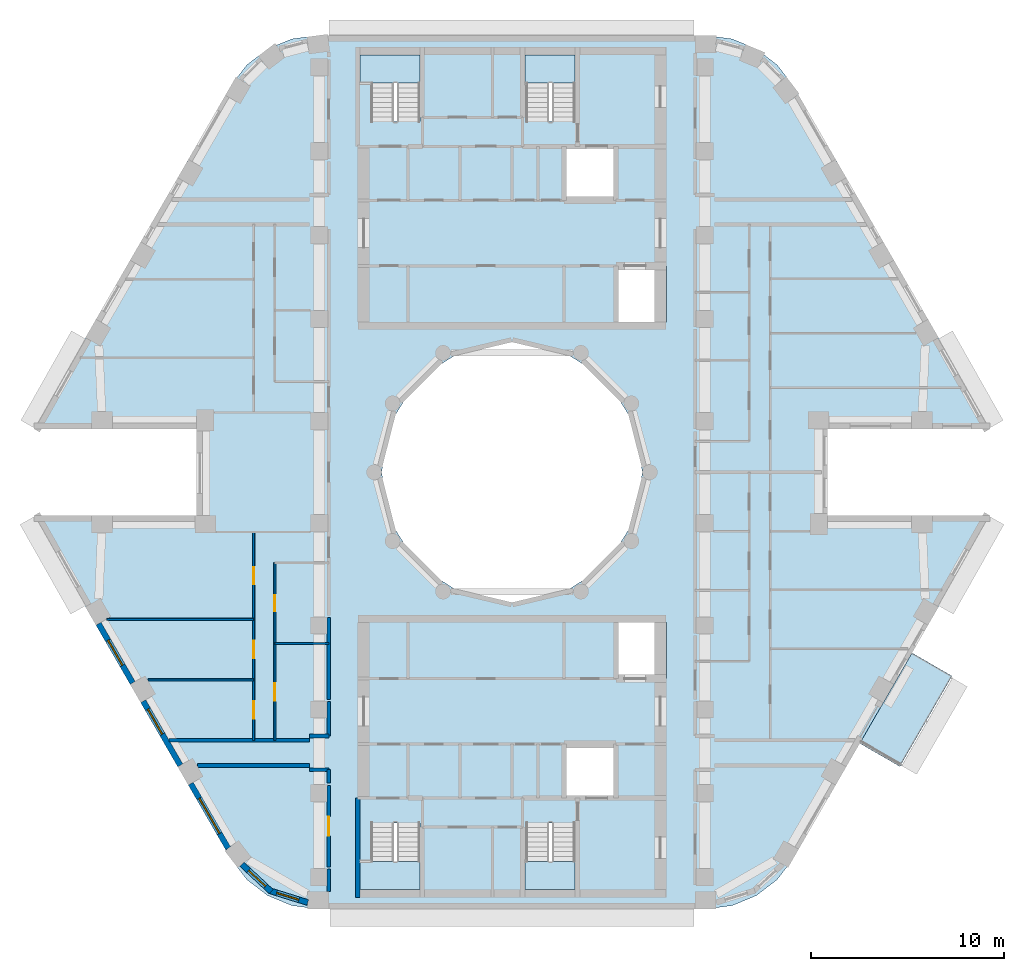
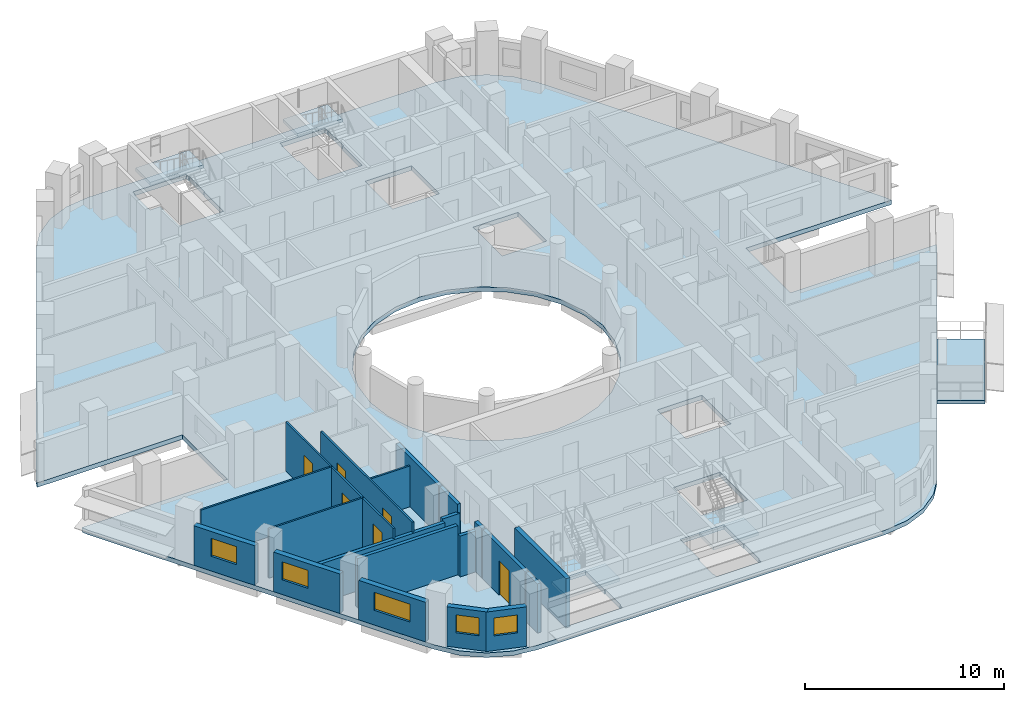
# One storey, part 2 of 12: 20 walls, 6 doors, 6 slabs, 5 windows, 11 openings, 4 elements without a shape of their own.
"""IFC4 building model written with IfcOpenShell, lengths in metres."""

from ifc_helpers import new_model, si_unit, direction, frame, frame_2d, origin, place, context, subcontext, project, spatial, polyline, rectangle, outline, extrude, material, layer, layer_set, type_object, element, fill, aggregate, save


model = new_model("IFC4")

# Units and contexts
model_context = context("Model", 3, precision=1e-05, world=origin(), true_north=direction((0.0, 1.0)))
body_context = subcontext(model_context, "Body", "Model", "MODEL_VIEW")
ifc_project = project(units=[si_unit("LENGTHUNIT", "METRE"), si_unit("AREAUNIT", "SQUARE_METRE"), si_unit("VOLUMEUNIT", "CUBIC_METRE"), si_unit("PLANEANGLEUNIT", "RADIAN"), si_unit("MASSUNIT", "GRAM", prefix="KILO")], contexts=[model_context])

# Site, building, storey
site_placement = place(None, origin())
site = spatial("IfcSite", under=ifc_project, at=site_placement, CompositionType="ELEMENT")
building_placement = place(site_placement, origin())
building = spatial("IfcBuilding", under=site, at=building_placement, Name="Nakaniwa Court", CompositionType="ELEMENT")
storey_placement = place(building_placement, frame((0.0, 0.0, 236.10009765625)))
storey = spatial("IfcBuildingStorey", under=building, at=storey_placement, Name="L61", CompositionType="ELEMENT", Elevation=236.10009765625)

# Slabs
ifc_material_1 = material(Name="Charcoal ceramic paver")
ifc_layer_1 = layer(ifc_material_1, 0.02, Name="Ceramic paver")
ifc_material_2 = material(Name="Cement sand screed")
ifc_layer_2 = layer(ifc_material_2, 0.03, Name="Falls screed")
ifc_material_3 = material(Name="Concrete C40/50", Category="concrete")
ifc_layer_3 = layer(ifc_material_3, 0.15, Name="Balcony slab")
ifc_layer_set_1 = layer_set([ifc_layer_1, ifc_layer_2, ifc_layer_3], Name="Concrete C40/50 balcony slab with ceramic paver finish")
slab_type_1 = type_object("IfcSlabType", Name="Balcony slab 200", PredefinedType="FLOOR", material=ifc_layer_set_1)
slab_1_placement = place(storey_placement, frame((0.0, 0.0, -0.25)))
element("IfcSlab", 1, at=slab_1_placement, inside=storey, type_object=slab_type_1, Name="L61 balcony 01", PredefinedType="FLOOR", context=body_context, shape_type="SweptSolid", body=[
    extrude(outline(polyline([(98.03662109375, 65.93994140625), (100.744140625, 70.629638671875), (102.822509765625, 69.4296875), (100.114990234375, 64.739990234375), (98.03662109375, 65.93994140625)])), origin(), (0.0, 0.0, 1.0), 0.199951171875),
])
ifc_material_4 = material(Name="Concrete C80/100", Category="concrete")
ifc_layer_4 = layer(ifc_material_4, 0.27490234375)
ifc_layer_set_2 = layer_set([ifc_layer_4], Name="Concrete C80/100")
slab_type_2 = type_object("IfcSlabType", Name="Concrete C80/100 post tensioned floor slab 275", PredefinedType="FLOOR", material=ifc_layer_set_2)
slab_2_placement = place(storey_placement, frame((0.0, 0.0, -0.275146484375)))
element("IfcSlab", 2, at=slab_2_placement, inside=storey, type_object=slab_type_2, Name="FLOOR SLAB", PredefinedType="FLOOR", context=body_context, shape_type="SweptSolid", body=[
    extrude(outline(polyline([(96.349609375, 82.25), (104.7978515625, 82.25), (104.65283203125, 82.60009765625), (94.578125, 100.050048828125), (93.751708984375, 101.126953125), (92.6748046875, 101.953369140625), (91.420654296875, 102.472900390625), (90.07470703125, 102.64990234375), (69.92529296875, 102.64990234375), (68.579345703125, 102.472900390625), (67.3251953125, 101.953369140625), (66.248291015625, 101.126953125), (65.421875, 100.050048828125), (55.34716796875, 82.60009765625), (55.2021484375, 82.25), (63.650390625, 82.25), (63.650390625, 77.75), (55.2021484375, 77.75), (55.34716796875, 77.39990234375), (65.421875, 59.949951171875), (66.248291015625, 58.873046875), (67.3251953125, 58.046630859375), (68.579345703125, 57.527099609375), (69.92529296875, 57.35009765625), (90.07470703125, 57.35009765625), (91.420654296875, 57.527099609375), (92.6748046875, 58.046630859375), (93.751708984375, 58.873046875), (94.578125, 59.949951171875), (104.65283203125, 77.39990234375), (104.7978515625, 77.75), (96.349609375, 77.75), (96.349609375, 82.25)]), holes=[polyline([(81.501953125, 86.580810546875), (80.0, 86.75), (78.498046875, 86.580810546875), (77.0712890625, 86.08154296875), (75.79150390625, 85.27734375), (74.72265625, 84.20849609375), (73.91845703125, 82.9287109375), (73.419189453125, 81.501953125), (73.25, 80.0), (73.419189453125, 78.498046875), (73.91845703125, 77.0712890625), (74.72265625, 75.79150390625), (75.79150390625, 74.72265625), (77.0712890625, 73.91845703125), (78.498046875, 73.419189453125), (80.0, 73.25), (81.501953125, 73.419189453125), (82.9287109375, 73.91845703125), (84.20849609375, 74.72265625), (85.27734375, 75.79150390625), (86.08154296875, 77.0712890625), (86.580810546875, 78.498046875), (86.75, 80.0), (86.580810546875, 81.501953125), (86.08154296875, 82.9287109375), (85.27734375, 84.20849609375), (84.20849609375, 85.27734375), (82.9287109375, 86.08154296875), (81.501953125, 86.580810546875)]), polyline([(72.675048828125, 61.81005859375), (72.675048828125, 59.864990234375), (72.0849609375, 59.864990234375), (72.0849609375, 58.31005859375), (72.125, 58.31005859375), (72.125, 58.074951171875), (75.22509765625, 58.074951171875), (75.22509765625, 58.31005859375), (75.264892578125, 58.31005859375), (75.264892578125, 59.864990234375), (75.22509765625, 59.864990234375), (75.22509765625, 61.81005859375), (72.675048828125, 61.81005859375)]), polyline([(83.27490234375, 61.81005859375), (80.72509765625, 61.81005859375), (80.72509765625, 59.864990234375), (80.635009765625, 59.864990234375), (80.635009765625, 58.31005859375), (80.675048828125, 58.31005859375), (80.675048828125, 58.074951171875), (83.27490234375, 58.074951171875), (83.27490234375, 58.31005859375), (83.31494140625, 58.31005859375), (83.31494140625, 59.864990234375), (83.27490234375, 59.864990234375), (83.27490234375, 61.81005859375)]), polyline([(75.264892578125, 101.68994140625), (75.22509765625, 101.68994140625), (75.22509765625, 101.925048828125), (72.125, 101.925048828125), (72.125, 101.68994140625), (72.0849609375, 101.68994140625), (72.0849609375, 100.135009765625), (72.675048828125, 100.135009765625), (72.675048828125, 98.18994140625), (75.22509765625, 98.18994140625), (75.22509765625, 100.135009765625), (75.264892578125, 100.135009765625), (75.264892578125, 101.68994140625)]), polyline([(83.31494140625, 100.135009765625), (83.31494140625, 101.68994140625), (83.27490234375, 101.68994140625), (83.27490234375, 101.925048828125), (80.675048828125, 101.925048828125), (80.675048828125, 101.68994140625), (80.635009765625, 101.68994140625), (80.635009765625, 100.135009765625), (80.72509765625, 100.135009765625), (80.72509765625, 98.18994140625), (83.27490234375, 98.18994140625), (83.27490234375, 100.135009765625), (83.31494140625, 100.135009765625)]), polyline([(85.39990234375, 65.89990234375), (82.699951171875, 65.89990234375), (82.699951171875, 63.10009765625), (85.39990234375, 63.10009765625), (85.39990234375, 65.89990234375)]), polyline([(88.0, 72.199951171875), (85.39990234375, 72.199951171875), (85.39990234375, 69.300048828125), (88.0, 69.300048828125), (88.0, 72.199951171875)]), polyline([(85.39990234375, 90.699951171875), (85.39990234375, 87.800048828125), (88.0, 87.800048828125), (88.0, 90.699951171875), (85.39990234375, 90.699951171875)]), polyline([(85.39990234375, 96.89990234375), (82.699951171875, 96.89990234375), (82.699951171875, 94.10009765625), (85.39990234375, 94.10009765625), (85.39990234375, 96.89990234375)])]), origin(), (0.0, 0.0, 1.0), 0.275146484375),
])

# Stair, slab
stair_type = type_object("IfcStairType", Name="Dog leg stair 1200 wide 18 risers", PredefinedType="HALF_TURN_STAIR", material=ifc_material_4)
stair_1_placement = place(storey_placement, origin())
stair_1 = element("IfcStair", 3, at=stair_1_placement, inside=storey, type_object=stair_type, Name="L61 Stair ST1", PredefinedType="HALF_TURN_STAIR")
ifc_layer_5 = layer(ifc_material_4, 0.199951171875)
ifc_layer_set_3 = layer_set([ifc_layer_5], Name="Concrete C80/100")
slab_type_3 = type_object("IfcSlabType", Name="Stair landing concrete", PredefinedType="LANDING", material=ifc_layer_set_3)
slab_3_placement = place(storey_placement, frame((0.0, 0.0, 1.449951171875)))
slab_3 = element("IfcSlab", 4, at=slab_3_placement, type_object=slab_type_3, Name="ST1 landing 1", PredefinedType="LANDING", context=body_context, shape_type="SweptSolid", body=[
    extrude(outline(polyline([(75.22509765625, 100.175048828125), (75.22509765625, 101.64990234375), (72.125, 101.64990234375), (72.125, 100.175048828125), (75.22509765625, 100.175048828125)])), origin(), (0.0, 0.0, 1.0), 0.199951171875),
])
aggregate(stair_1, [slab_3])

stair_2_placement = place(storey_placement, origin())
stair_2 = element("IfcStair", 5, at=stair_2_placement, inside=storey, type_object=stair_type, Name="L61 Stair ST2", PredefinedType="HALF_TURN_STAIR")
slab_4_placement = place(storey_placement, frame((0.0, 0.0, 1.449951171875)))
slab_4 = element("IfcSlab", 6, at=slab_4_placement, type_object=slab_type_3, Name="ST2 landing 1", PredefinedType="LANDING", context=body_context, shape_type="SweptSolid", body=[
    extrude(outline(polyline([(83.27490234375, 100.175048828125), (83.27490234375, 101.64990234375), (80.675048828125, 101.64990234375), (80.675048828125, 100.175048828125), (83.27490234375, 100.175048828125)])), origin(), (0.0, 0.0, 1.0), 0.199951171875),
])
aggregate(stair_2, [slab_4])

stair_3_placement = place(storey_placement, origin())
stair_3 = element("IfcStair", 7, at=stair_3_placement, inside=storey, type_object=stair_type, Name="L61 Stair ST3", PredefinedType="HALF_TURN_STAIR")
slab_5_placement = place(storey_placement, frame((0.0, 0.0, 1.449951171875)))
slab_5 = element("IfcSlab", 8, at=slab_5_placement, type_object=slab_type_3, Name="ST3 landing 1", PredefinedType="LANDING", context=body_context, shape_type="SweptSolid", body=[
    extrude(outline(polyline([(75.22509765625, 58.35009765625), (75.22509765625, 59.824951171875), (72.125, 59.824951171875), (72.125, 58.35009765625), (75.22509765625, 58.35009765625)])), origin(), (0.0, 0.0, 1.0), 0.199951171875),
])
aggregate(stair_3, [slab_5])

stair_4_placement = place(storey_placement, origin())
stair_4 = element("IfcStair", 9, at=stair_4_placement, inside=storey, type_object=stair_type, Name="L61 Stair ST4", PredefinedType="HALF_TURN_STAIR")
slab_6_placement = place(storey_placement, frame((0.0, 0.0, 1.449951171875)))
slab_6 = element("IfcSlab", 10, at=slab_6_placement, type_object=slab_type_3, Name="ST4 landing 1", PredefinedType="LANDING", context=body_context, shape_type="SweptSolid", body=[
    extrude(outline(polyline([(83.27490234375, 58.35009765625), (83.27490234375, 59.824951171875), (80.675048828125, 59.824951171875), (80.675048828125, 58.35009765625), (83.27490234375, 58.35009765625)])), origin(), (0.0, 0.0, 1.0), 0.199951171875),
])
aggregate(stair_4, [slab_6])

# Walls
ifc_material_5 = material(Name="Acoustic double stud partition")
ifc_layer_6 = layer(ifc_material_5, 0.199951171875)
ifc_layer_set_4 = layer_set([ifc_layer_6], Name="Acoustic double stud partition")
wall_type_1 = type_object("IfcWallType", Name="Acoustic double stud partition 200", PredefinedType="PARTITIONING", material=ifc_layer_set_4)
wall_1_placement = place(storey_placement, frame((63.68115234375, 64.800048828125, 0.0), z_axis=(0.0, 0.0, 1.0), x_axis=(1.0, 0.0, 0.0)))
element("IfcWall", 11, at=wall_1_placement, inside=storey, type_object=wall_type_1, Name="Partition PW-073", PredefinedType="PARTITIONING", context=body_context, shape_type="SweptSolid", body=[
    extrude(rectangle(XDim=5.81884765625, YDim=0.199951171875, at=frame_2d((2.909423828125, 0.0))), origin(), (0.0, 0.0, 1.0), 3.02490234375),
])
for number, where, z_axis, x_axis, name in (
    (12, (69.5, 64.574951171875, 0.0), (0.0, 0.0, 1.0), (1.0, 0.0, 0.0), "Partition PW-075"),
    (13, (69.5, 66.324951171875, 0.0), (0.0, 0.0, 1.0), (1.0, 0.0, 0.0), "Partition PW-077"),
):
    element("IfcWall", number, at=place(storey_placement, frame(where, z_axis=z_axis, x_axis=x_axis)), inside=storey, type_object=wall_type_1, Name=name, PredefinedType="PARTITIONING", context=body_context, shape_type="SweptSolid", body=[
        extrude(rectangle(XDim=1.0, YDim=0.199951171875, at=frame_2d((0.5, 0.0))), origin(), (0.0, 0.0, 1.0), 2.5048828125),
    ])
wall_2_placement = place(storey_placement, frame((62.217529296875, 66.10009765625, 0.0), z_axis=(0.0, 0.0, 1.0), x_axis=(1.0, 0.0, 0.0)))
element("IfcWall", 14, at=wall_2_placement, inside=storey, type_object=wall_type_1, Name="Partition PW-079", PredefinedType="PARTITIONING", context=body_context, shape_type="SweptSolid", body=[
    extrude(rectangle(XDim=7.282470703125, YDim=0.199951171875, at=frame_2d((3.64111328125, 0.0))), origin(), (0.0, 0.0, 1.0), 2.40478515625),
])
wall_3_placement = place(storey_placement, frame((70.5, 58.26708984375, 0.0), z_axis=(0.0, 0.0, 1.0), x_axis=(0.0, 1.0, 0.0)))
element("IfcWall", 15, at=wall_3_placement, inside=storey, type_object=wall_type_1, Name="Partition PW-081", PredefinedType="PARTITIONING", context=body_context, shape_type="SweptSolid", body=[
    extrude(rectangle(XDim=1.14599609375, YDim=0.199951171875, at=frame_2d((0.572998046875, 0.0))), origin(), (0.0, 0.0, 1.0), 3.02490234375),
])

# Wall, opening, door
wall_4_placement = place(storey_placement, frame((70.5, 59.527099609375, 0.0), z_axis=(0.0, 0.0, 1.0), x_axis=(0.0, 1.0, 0.0)))
wall_4 = element("IfcWall", 16, at=wall_4_placement, inside=storey, type_object=wall_type_1, Name="Partition PW-082", PredefinedType="PARTITIONING", context=body_context, shape_type="SweptSolid", body=[
    extrude(rectangle(XDim=4.23583984375, YDim=0.199951171875, at=frame_2d((2.117919921875, 0.0))), origin(), (0.0, 0.0, 1.0), 3.02490234375),
])
opening_1_placement = place(wall_4_placement, frame((1.617919921875, 0.0, 0.0)))
opening_1 = element("IfcOpeningElement", 17, at=opening_1_placement, cuts=wall_4, Name="Opening D-02-03", PredefinedType="OPENING", context=body_context, shape_type="SweptSolid", body=[
    extrude(rectangle(XDim=1.0, YDim=2.10009765625, at=frame_2d((0.5, 1.050048828125))), frame((0.0, 0.10986328125, 0.0), z_axis=(0.0, -1.0, 0.0), x_axis=(1.0, 0.0, 0.0)), (0.0, 0.0, 1.0), 0.219970703125),
])
ifc_material_6 = material(Name="Solid core timber door set, black veneer", Category="wood")
door_type_1 = type_object("IfcDoorType", Name="Internal door 1000", OperationType="NOTDEFINED", PredefinedType="DOOR", material=ifc_material_6)
door_1_placement = place(opening_1_placement, origin())
door_1 = element("IfcDoor", 18, at=door_1_placement, inside=storey, type_object=door_type_1, Name="Door D-02-03 L61-047", OperationType="SINGLE_SWING_RIGHT", OverallHeight=2.10009765625, OverallWidth=1.0, PredefinedType="DOOR", context=body_context, shape_type="SweptSolid", body=[
    extrude(rectangle(XDim=1.0, YDim=2.10009765625, at=frame_2d((0.5, 1.050048828125))), frame((0.0, 0.02490234375, 0.0), z_axis=(0.0, -1.0, 0.0), x_axis=(1.0, 0.0, 0.0)), (0.0, 0.0, 1.0), 0.050048828125),
])
fill(opening_1, door_1)

# Walls
wall_5_placement = place(storey_placement, frame((70.5, 63.876953125, 0.0), z_axis=(0.0, 0.0, 1.0), x_axis=(0.0, 1.0, 0.0)))
element("IfcWall", 19, at=wall_5_placement, inside=storey, type_object=wall_type_1, Name="Partition PW-083", PredefinedType="PARTITIONING", context=body_context, shape_type="SweptSolid", body=[
    extrude(rectangle(XDim=0.700927734375, YDim=0.199951171875, at=frame_2d((0.3505859375, 0.0))), origin(), (0.0, 0.0, 1.0), 3.02490234375),
])
wall_6_placement = place(storey_placement, frame((70.5, 66.322021484375, 0.0), z_axis=(0.0, 0.0, 1.0), x_axis=(0.0, 1.0, 0.0)))
element("IfcWall", 20, at=wall_6_placement, inside=storey, type_object=wall_type_1, Name="Partition PW-084", PredefinedType="PARTITIONING", context=body_context, shape_type="SweptSolid", body=[
    extrude(rectangle(XDim=1.791015625, YDim=0.199951171875, at=frame_2d((0.8955078125, 0.0))), origin(), (0.0, 0.0, 1.0), 3.02490234375),
])
wall_7_placement = place(storey_placement, frame((70.5, 68.22705078125, 0.0), z_axis=(0.0, 0.0, 1.0), x_axis=(0.0, 1.0, 0.0)))
element("IfcWall", 21, at=wall_7_placement, inside=storey, type_object=wall_type_1, Name="Partition PW-085", PredefinedType="PARTITIONING", context=body_context, shape_type="SweptSolid", body=[
    extrude(rectangle(XDim=4.23583984375, YDim=0.199951171875, at=frame_2d((2.117919921875, 0.0))), origin(), (0.0, 0.0, 1.0), 3.02490234375),
])

# Wall, opening, window
ifc_material_7 = material(Name="Charcoal ceramic cladding")
ifc_layer_7 = layer(ifc_material_7, 0.02, Name="Ceramic cladding")
ifc_material_8 = material(Name="Ventilated air cavity")
ifc_layer_8 = layer(ifc_material_8, 0.04, ventilated=True, Name="Ventilated cavity")
ifc_material_9 = material(Name="Mineral wool insulation")
ifc_layer_9 = layer(ifc_material_9, 0.1, Name="Insulation")
ifc_material_10 = material(Name="Cement bonded sheathing board")
ifc_layer_10 = layer(ifc_material_10, 0.012, Name="Sheathing")
ifc_material_11 = material(Name="Cold-formed galvanised stud frame with mineral wool infill")
ifc_layer_11 = layer(ifc_material_11, 0.1, Name="Stud frame")
ifc_material_12 = material(Name="Fire-rated gypsum plasterboard lining")
ifc_layer_12 = layer(ifc_material_12, 0.028, Name="Lining")
ifc_layer_set_5 = layer_set([ifc_layer_7, ifc_layer_8, ifc_layer_9, ifc_layer_10, ifc_layer_11, ifc_layer_12], Name="Charcoal ceramic faced external wall system")
wall_type_2 = type_object("IfcWallType", Name="Black ceramic faced external wall 300", PredefinedType="SOLIDWALL", material=ifc_layer_set_5)
wall_8_placement = place(storey_placement, frame((58.55419921875, 72.14501953125, 0.0), z_axis=(0.0, 0.0, 1.0), x_axis=(0.500010404316, -0.866019396766, 0.0)))
wall_8 = element("IfcWall", 22, at=wall_8_placement, inside=storey, type_object=wall_type_2, Name="L61 external wall 21", PredefinedType="SOLIDWALL", context=body_context, shape_type="SweptSolid", body=[
    extrude(rectangle(XDim=3.54736328125, YDim=0.300048828125, at=frame_2d((1.773681640625, 0.0))), origin(), (0.0, 0.0, 1.0), 2.4248046875),
])
opening_2_placement = place(wall_8_placement, frame((0.990966796875, 0.0, 0.89990234375)))
opening_2 = element("IfcOpeningElement", 23, at=opening_2_placement, cuts=wall_8, Name="Opening W5.20", PredefinedType="OPENING", context=body_context, shape_type="SweptSolid", body=[
    extrude(rectangle(XDim=1.5, YDim=1.10009765625, at=frame_2d((0.75, 0.550048828125))), frame((0.0, 0.159912109375, 0.0), z_axis=(0.0, -1.0, 0.0), x_axis=(1.0, 0.0, 0.0)), (0.0, 0.0, 1.0), 0.320068359375),
])
ifc_material_13 = material(Name="Black anodised aluminium frame with dark low-E laminated double glazing", Category="aluminium")
window_type_1 = type_object("IfcWindowType", Name="Dark glass window 1500x1100 sill 900", PartitioningType="SINGLE_PANEL", PredefinedType="WINDOW", material=ifc_material_13)
window_1_placement = place(opening_2_placement, origin())
window_1 = element("IfcWindow", 24, at=window_1_placement, inside=storey, type_object=window_type_1, Name="L61 bedroom window 21-0", OverallHeight=1.10009765625, OverallWidth=1.5, PartitioningType="SINGLE_PANEL", PredefinedType="WINDOW", context=body_context, shape_type="SweptSolid", body=[
    extrude(rectangle(XDim=1.5, YDim=1.10009765625, at=frame_2d((0.75, 0.550048828125))), frame((0.0, 0.030029296875, 0.0), z_axis=(0.0, -1.0, 0.0), x_axis=(1.0, 0.0, 0.0)), (0.0, 0.0, 1.0), 0.06005859375),
])
fill(opening_2, window_1)

wall_9_placement = place(storey_placement, frame((60.873779296875, 68.12744140625, 0.0), z_axis=(0.0, 0.0, 1.0), x_axis=(0.499984490703, -0.866034357896, 0.0)))
wall_9 = element("IfcWall", 25, at=wall_9_placement, inside=storey, type_object=wall_type_2, Name="L61 external wall 22", PredefinedType="SOLIDWALL", context=body_context, shape_type="SweptSolid", body=[
    extrude(rectangle(XDim=3.84423828125, YDim=0.300048828125, at=frame_2d((1.922119140625, 0.0))), origin(), (0.0, 0.0, 1.0), 2.4248046875),
])
opening_3_placement = place(wall_9_placement, frame((0.481689453125, 0.0, 0.89990234375)))
opening_3 = element("IfcOpeningElement", 26, at=opening_3_placement, cuts=wall_9, Name="Opening W5.21", PredefinedType="OPENING", context=body_context, shape_type="SweptSolid", body=[
    extrude(rectangle(XDim=1.5, YDim=1.10009765625, at=frame_2d((0.75, 0.550048828125))), frame((0.0, 0.159912109375, 0.0), z_axis=(0.0, -1.0, 0.0), x_axis=(1.0, 0.0, 0.0)), (0.0, 0.0, 1.0), 0.320068359375),
])
window_2_placement = place(opening_3_placement, origin())
window_2 = element("IfcWindow", 27, at=window_2_placement, inside=storey, type_object=window_type_1, Name="L61 bedroom window 22-0", OverallHeight=1.10009765625, OverallWidth=1.5, PartitioningType="SINGLE_PANEL", PredefinedType="WINDOW", context=body_context, shape_type="SweptSolid", body=[
    extrude(rectangle(XDim=1.5, YDim=1.10009765625, at=frame_2d((0.75, 0.550048828125))), frame((0.0, 0.030029296875, 0.0), z_axis=(0.0, -1.0, 0.0), x_axis=(1.0, 0.0, 0.0)), (0.0, 0.0, 1.0), 0.06005859375),
])
fill(opening_3, window_2)

wall_10_placement = place(storey_placement, frame((63.342041015625, 63.8525390625, 0.0), z_axis=(0.0, 0.0, 1.0), x_axis=(0.500011218404, -0.866018926739, 0.0)))
wall_10 = element("IfcWall", 28, at=wall_10_placement, inside=storey, type_object=wall_type_2, Name="L61 external wall 23", PredefinedType="SOLIDWALL", context=body_context, shape_type="SweptSolid", body=[
    extrude(rectangle(XDim=3.87890625, YDim=0.300048828125, at=frame_2d((1.939453125, 0.0))), origin(), (0.0, 0.0, 1.0), 2.4248046875),
])
opening_4_placement = place(wall_10_placement, frame((0.878173828125, 0.0, 0.89990234375)))
opening_4 = element("IfcOpeningElement", 29, at=opening_4_placement, cuts=wall_10, Name="Opening W7.22", PredefinedType="OPENING", context=body_context, shape_type="SweptSolid", body=[
    extrude(rectangle(XDim=2.10009765625, YDim=1.10009765625, at=frame_2d((1.050048828125, 0.550048828125))), frame((0.0, 0.159912109375, 0.0), z_axis=(0.0, -1.0, 0.0), x_axis=(1.0, 0.0, 0.0)), (0.0, 0.0, 1.0), 0.320068359375),
])
window_type_2 = type_object("IfcWindowType", Name="Dark glass window 2100x1100 sill 900", PartitioningType="SINGLE_PANEL", PredefinedType="WINDOW", material=ifc_material_13)
window_3_placement = place(opening_4_placement, origin())
window_3 = element("IfcWindow", 30, at=window_3_placement, inside=storey, type_object=window_type_2, Name="L61 habitable room window 23-0", OverallHeight=1.10009765625, OverallWidth=2.10009765625, PartitioningType="SINGLE_PANEL", PredefinedType="WINDOW", context=body_context, shape_type="SweptSolid", body=[
    extrude(rectangle(XDim=2.10009765625, YDim=1.10009765625, at=frame_2d((1.050048828125, 0.550048828125))), frame((0.0, 0.030029296875, 0.0), z_axis=(0.0, -1.0, 0.0), x_axis=(1.0, 0.0, 0.0)), (0.0, 0.0, 1.0), 0.06005859375),
])
fill(opening_4, window_3)

wall_11_placement = place(storey_placement, frame((65.99609375, 59.665283203125, 0.0), z_axis=(0.0, 0.0, 1.0), x_axis=(0.731942518471, -0.6813663843, 0.0)))
wall_11 = element("IfcWall", 31, at=wall_11_placement, inside=storey, type_object=wall_type_2, Name="L61 external wall 24", PredefinedType="SOLIDWALL", context=body_context, shape_type="SweptSolid", body=[
    extrude(rectangle(XDim=2.07568359375, YDim=0.300048828125, at=frame_2d((1.037841796875, 0.0))), origin(), (0.0, 0.0, 1.0), 2.4248046875),
])
opening_5_placement = place(wall_11_placement, frame((0.464111328125, 0.0, 0.89990234375)))
opening_5 = element("IfcOpeningElement", 32, at=opening_5_placement, cuts=wall_11, Name="Opening W6.23", PredefinedType="OPENING", context=body_context, shape_type="SweptSolid", body=[
    extrude(rectangle(XDim=1.199951171875, YDim=1.10009765625, at=frame_2d((0.60009765625, 0.550048828125))), frame((0.0, 0.159912109375, 0.0), z_axis=(0.0, -1.0, 0.0), x_axis=(1.0, 0.0, 0.0)), (0.0, 0.0, 1.0), 0.320068359375),
])
window_type_3 = type_object("IfcWindowType", Name="Dark glass window 1200x1100 sill 900", PartitioningType="SINGLE_PANEL", PredefinedType="WINDOW", material=ifc_material_13)
window_4_placement = place(opening_5_placement, origin())
window_4 = element("IfcWindow", 33, at=window_4_placement, inside=storey, type_object=window_type_3, Name="L61 habitable room window 24-0", OverallHeight=1.10009765625, OverallWidth=1.199951171875, PartitioningType="SINGLE_PANEL", PredefinedType="WINDOW", context=body_context, shape_type="SweptSolid", body=[
    extrude(rectangle(XDim=1.199951171875, YDim=1.10009765625, at=frame_2d((0.60009765625, 0.550048828125))), frame((0.0, 0.030029296875, 0.0), z_axis=(0.0, -1.0, 0.0), x_axis=(1.0, 0.0, 0.0)), (0.0, 0.0, 1.0), 0.06005859375),
])
fill(opening_5, window_4)

wall_12_placement = place(storey_placement, frame((67.406494140625, 58.3076171875, 0.0), z_axis=(0.0, 0.0, 1.0), x_axis=(0.954761314907, -0.297373219301, 0.0)))
wall_12 = element("IfcWall", 34, at=wall_12_placement, inside=storey, type_object=wall_type_2, Name="L61 external wall 25", PredefinedType="SOLIDWALL", context=body_context, shape_type="SweptSolid", body=[
    extrude(rectangle(XDim=2.096923828125, YDim=0.300048828125, at=frame_2d((1.04833984375, 0.0))), origin(), (0.0, 0.0, 1.0), 2.4248046875),
])
opening_6_placement = place(wall_12_placement, frame((0.409423828125, 0.0, 0.89990234375)))
opening_6 = element("IfcOpeningElement", 35, at=opening_6_placement, cuts=wall_12, Name="Opening W6.24", PredefinedType="OPENING", context=body_context, shape_type="SweptSolid", body=[
    extrude(rectangle(XDim=1.199951171875, YDim=1.10009765625, at=frame_2d((0.60009765625, 0.550048828125))), frame((0.0, 0.159912109375, 0.0), z_axis=(0.0, -1.0, 0.0), x_axis=(1.0, 0.0, 0.0)), (0.0, 0.0, 1.0), 0.320068359375),
])
window_5_placement = place(opening_6_placement, origin())
window_5 = element("IfcWindow", 36, at=window_5_placement, inside=storey, type_object=window_type_3, Name="L61 habitable room window 25-0", OverallHeight=1.10009765625, OverallWidth=1.199951171875, PartitioningType="SINGLE_PANEL", PredefinedType="WINDOW", context=body_context, shape_type="SweptSolid", body=[
    extrude(rectangle(XDim=1.199951171875, YDim=1.10009765625, at=frame_2d((0.60009765625, 0.550048828125))), frame((0.0, 0.030029296875, 0.0), z_axis=(0.0, -1.0, 0.0), x_axis=(1.0, 0.0, 0.0)), (0.0, 0.0, 1.0), 0.06005859375),
])
fill(opening_6, window_5)

# Walls
ifc_layer_13 = layer(ifc_material_4, 0.25)
ifc_layer_set_6 = layer_set([ifc_layer_13], Name="Concrete C80/100")
wall_type_3 = type_object("IfcWallType", Name="Concrete core wall 250 C80", PredefinedType="SHEAR", material=ifc_layer_set_6)
wall_13_placement = place(storey_placement, frame((72.0, 57.949951171875, -0.275146484375), z_axis=(0.0, 0.0, 1.0), x_axis=(0.0, 1.0, 0.0)))
element("IfcWall", 37, at=wall_13_placement, inside=storey, type_object=wall_type_3, Name="Core wall SW-51", PredefinedType="SHEAR", context=body_context, shape_type="SweptSolid", body=[
    extrude(rectangle(XDim=5.150146484375, YDim=0.25, at=frame_2d((2.5751953125, 0.0))), origin(), (0.0, 0.0, 1.0), 3.300048828125),
])
ifc_material_14 = material(Name="Single stud plasterboard partition")
ifc_layer_14 = layer(ifc_material_14, 0.10009765625)
ifc_layer_set_7 = layer_set([ifc_layer_14], Name="Single stud plasterboard partition")
wall_type_4 = type_object("IfcWallType", Name="Single stud plasterboard partition 100", PredefinedType="PARTITIONING", material=ifc_layer_set_7)
wall_14_placement = place(storey_placement, frame((67.699951171875, 71.117919921875, 0.0), z_axis=(0.0, 0.0, 1.0), x_axis=(1.0, 0.0, 0.0)))
element("IfcWall", 38, at=wall_14_placement, inside=storey, type_object=wall_type_4, Name="Partition PW-106", PredefinedType="PARTITIONING", context=body_context, shape_type="SweptSolid", body=[
    extrude(rectangle(XDim=2.800048828125, YDim=0.10009765625, at=frame_2d((1.39990234375, 0.0))), origin(), (0.0, 0.0, 1.0), 2.5048828125),
])

# Wall, openings, doors
wall_15_placement = place(storey_placement, frame((67.699951171875, 75.300048828125, 0.0), z_axis=(0.0, 0.0, 1.0), x_axis=(0.0, -1.0, 0.0)))
wall_15 = element("IfcWall", 39, at=wall_15_placement, inside=storey, type_object=wall_type_4, Name="Partition PW-107", PredefinedType="PARTITIONING", context=body_context, shape_type="SweptSolid", body=[
    extrude(rectangle(XDim=9.199951171875, YDim=0.10009765625, at=frame_2d((4.60009765625, 0.0))), origin(), (0.0, 0.0, 1.0), 3.02490234375),
])
opening_7_placement = place(wall_15_placement, frame((6.240966796875, 0.0, 0.0)))
opening_7 = element("IfcOpeningElement", 40, at=opening_7_placement, cuts=wall_15, Name="Opening D-33-11", PredefinedType="OPENING", context=body_context, shape_type="SweptSolid", body=[
    extrude(rectangle(XDim=0.89990234375, YDim=2.10009765625, at=frame_2d((0.449951171875, 1.050048828125))), frame((0.0, 0.06005859375, 0.0), z_axis=(0.0, -1.0, 0.0), x_axis=(1.0, 0.0, 0.0)), (0.0, 0.0, 1.0), 0.1201171875),
])
opening_8_placement = place(wall_15_placement, frame((1.666015625, 0.0, 0.0)))
opening_8 = element("IfcOpeningElement", 41, at=opening_8_placement, cuts=wall_15, Name="Opening D-03-05", PredefinedType="OPENING", context=body_context, shape_type="SweptSolid", body=[
    extrude(rectangle(XDim=0.85009765625, YDim=2.10009765625, at=frame_2d((0.425048828125, 1.050048828125))), frame((0.0, 0.06005859375, 0.0), z_axis=(0.0, -1.0, 0.0), x_axis=(1.0, 0.0, 0.0)), (0.0, 0.0, 1.0), 0.1201171875),
])
ifc_material_15 = material(Name="Moisture sealed timber door set", Category="wood")
door_type_2 = type_object("IfcDoorType", Name="Bathroom door 850", OperationType="NOTDEFINED", PredefinedType="DOOR", material=ifc_material_15)
door_2_placement = place(opening_8_placement, origin())
door_2 = element("IfcDoor", 42, at=door_2_placement, inside=storey, type_object=door_type_2, Name="Door D-03-05 L61-050", OperationType="SINGLE_SWING_LEFT", OverallHeight=2.10009765625, OverallWidth=0.85009765625, PredefinedType="DOOR", context=body_context, shape_type="SweptSolid", body=[
    extrude(rectangle(XDim=0.85009765625, YDim=2.10009765625, at=frame_2d((0.425048828125, 1.050048828125))), frame((0.0, 0.02490234375, 0.0), z_axis=(0.0, -1.0, 0.0), x_axis=(1.0, 0.0, 0.0)), (0.0, 0.0, 1.0), 0.050048828125),
])
fill(opening_8, door_2)
door_type_3 = type_object("IfcDoorType", Name="Internal door 900", OperationType="NOTDEFINED", PredefinedType="DOOR", material=ifc_material_6)
door_3_placement = place(opening_7_placement, origin())
door_3 = element("IfcDoor", 43, at=door_3_placement, inside=storey, type_object=door_type_3, Name="Door D-33-11 L61-049", OperationType="SINGLE_SWING_RIGHT", OverallHeight=2.10009765625, OverallWidth=0.89990234375, PredefinedType="DOOR", context=body_context, shape_type="SweptSolid", body=[
    extrude(rectangle(XDim=0.89990234375, YDim=2.10009765625, at=frame_2d((0.449951171875, 1.050048828125))), frame((0.0, 0.02490234375, 0.0), z_axis=(0.0, -1.0, 0.0), x_axis=(1.0, 0.0, 0.0)), (0.0, 0.0, 1.0), 0.050048828125),
])
fill(opening_7, door_3)

wall_16_placement = place(storey_placement, frame((66.60009765625, 66.10009765625, 0.0), z_axis=(0.0, 0.0, 1.0), x_axis=(0.0, 1.0, 0.0)))
wall_16 = element("IfcWall", 44, at=wall_16_placement, inside=storey, type_object=wall_type_4, Name="Partition PW-110", PredefinedType="PARTITIONING", context=body_context, shape_type="SweptSolid", body=[
    extrude(rectangle(XDim=10.7998046875, YDim=0.10009765625, at=frame_2d((5.39990234375, 0.0))), origin(), (0.0, 0.0, 1.0), 3.02490234375),
])
opening_9_placement = place(wall_16_placement, frame((1.117919921875, 0.0, 0.0)))
opening_9 = element("IfcOpeningElement", 45, at=opening_9_placement, cuts=wall_16, Name="Opening D-33-12", PredefinedType="OPENING", context=body_context, shape_type="SweptSolid", body=[
    extrude(rectangle(XDim=0.89990234375, YDim=2.10009765625, at=frame_2d((0.449951171875, 1.050048828125))), frame((0.0, 0.06005859375, 0.0), z_axis=(0.0, -1.0, 0.0), x_axis=(1.0, 0.0, 0.0)), (0.0, 0.0, 1.0), 0.1201171875),
])
opening_10_placement = place(wall_16_placement, frame((4.2529296875, 0.0, 0.0)))
opening_10 = element("IfcOpeningElement", 46, at=opening_10_placement, cuts=wall_16, Name="Opening D-33-13", PredefinedType="OPENING", context=body_context, shape_type="SweptSolid", body=[
    extrude(rectangle(XDim=0.89990234375, YDim=2.10009765625, at=frame_2d((0.449951171875, 1.050048828125))), frame((0.0, 0.06005859375, 0.0), z_axis=(0.0, -1.0, 0.0), x_axis=(1.0, 0.0, 0.0)), (0.0, 0.0, 1.0), 0.1201171875),
])
opening_11_placement = place(wall_16_placement, frame((8.0859375, 0.0, 0.0)))
opening_11 = element("IfcOpeningElement", 47, at=opening_11_placement, cuts=wall_16, Name="Opening D-33-14", PredefinedType="OPENING", context=body_context, shape_type="SweptSolid", body=[
    extrude(rectangle(XDim=0.89990234375, YDim=2.10009765625, at=frame_2d((0.449951171875, 1.050048828125))), frame((0.0, 0.06005859375, 0.0), z_axis=(0.0, -1.0, 0.0), x_axis=(1.0, 0.0, 0.0)), (0.0, 0.0, 1.0), 0.1201171875),
])
door_4_placement = place(opening_9_placement, origin())
door_4 = element("IfcDoor", 48, at=door_4_placement, inside=storey, type_object=door_type_3, Name="Door D-33-12 L61-051", OperationType="SINGLE_SWING_RIGHT", OverallHeight=2.10009765625, OverallWidth=0.89990234375, PredefinedType="DOOR", context=body_context, shape_type="SweptSolid", body=[
    extrude(rectangle(XDim=0.89990234375, YDim=2.10009765625, at=frame_2d((0.449951171875, 1.050048828125))), frame((0.0, 0.02490234375, 0.0), z_axis=(0.0, -1.0, 0.0), x_axis=(1.0, 0.0, 0.0)), (0.0, 0.0, 1.0), 0.050048828125),
])
fill(opening_9, door_4)
door_5_placement = place(opening_10_placement, origin())
door_5 = element("IfcDoor", 49, at=door_5_placement, inside=storey, type_object=door_type_3, Name="Door D-33-13 L61-052", OperationType="SINGLE_SWING_LEFT", OverallHeight=2.10009765625, OverallWidth=0.89990234375, PredefinedType="DOOR", context=body_context, shape_type="SweptSolid", body=[
    extrude(rectangle(XDim=0.89990234375, YDim=2.10009765625, at=frame_2d((0.449951171875, 1.050048828125))), frame((0.0, 0.02490234375, 0.0), z_axis=(0.0, -1.0, 0.0), x_axis=(1.0, 0.0, 0.0)), (0.0, 0.0, 1.0), 0.050048828125),
])
fill(opening_10, door_5)
door_6_placement = place(opening_11_placement, origin())
door_6 = element("IfcDoor", 50, at=door_6_placement, inside=storey, type_object=door_type_3, Name="Door D-33-14 L61-053", OperationType="SINGLE_SWING_RIGHT", OverallHeight=2.10009765625, OverallWidth=0.89990234375, PredefinedType="DOOR", context=body_context, shape_type="SweptSolid", body=[
    extrude(rectangle(XDim=0.89990234375, YDim=2.10009765625, at=frame_2d((0.449951171875, 1.050048828125))), frame((0.0, 0.02490234375, 0.0), z_axis=(0.0, -1.0, 0.0), x_axis=(1.0, 0.0, 0.0)), (0.0, 0.0, 1.0), 0.050048828125),
])
fill(opening_11, door_6)

# Walls
wall_17_placement = place(storey_placement, frame((61.123291015625, 69.236083984375, 0.0), z_axis=(0.0, 0.0, 1.0), x_axis=(1.0, 0.0, 0.0)))
element("IfcWall", 51, at=wall_17_placement, inside=storey, type_object=wall_type_4, Name="Partition PW-113", PredefinedType="PARTITIONING", context=body_context, shape_type="SweptSolid", body=[
    extrude(rectangle(XDim=5.476806640625, YDim=0.10009765625, at=frame_2d((2.73828125, 0.0))), origin(), (0.0, 0.0, 1.0), 3.02490234375),
])
wall_18_placement = place(storey_placement, frame((58.993896484375, 72.37109375, 0.0), z_axis=(0.0, 0.0, 1.0), x_axis=(1.0, 0.0, 0.0)))
element("IfcWall", 52, at=wall_18_placement, inside=storey, type_object=wall_type_4, Name="Partition PW-114", PredefinedType="PARTITIONING", context=body_context, shape_type="SweptSolid", body=[
    extrude(rectangle(XDim=7.606201171875, YDim=0.10009765625, at=frame_2d((3.80322265625, 0.0))), origin(), (0.0, 0.0, 1.0), 3.02490234375),
])

save(model, "model.ifc")
